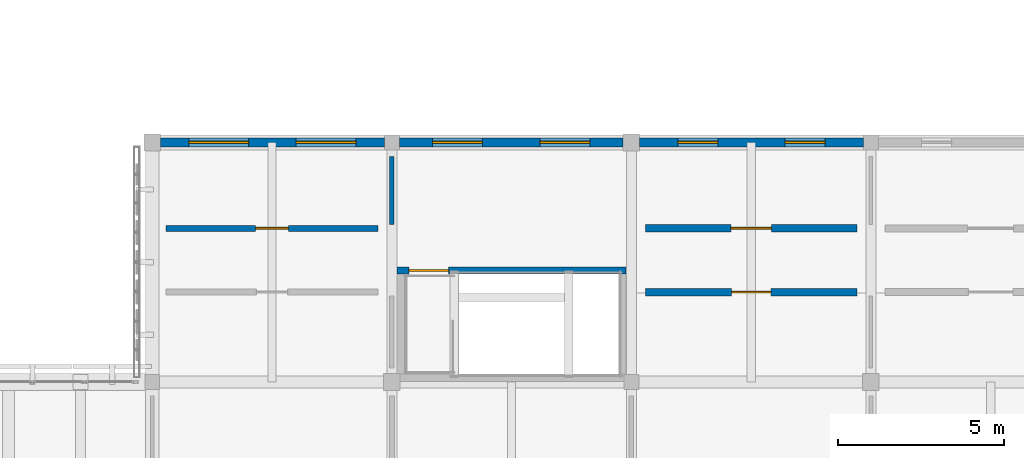
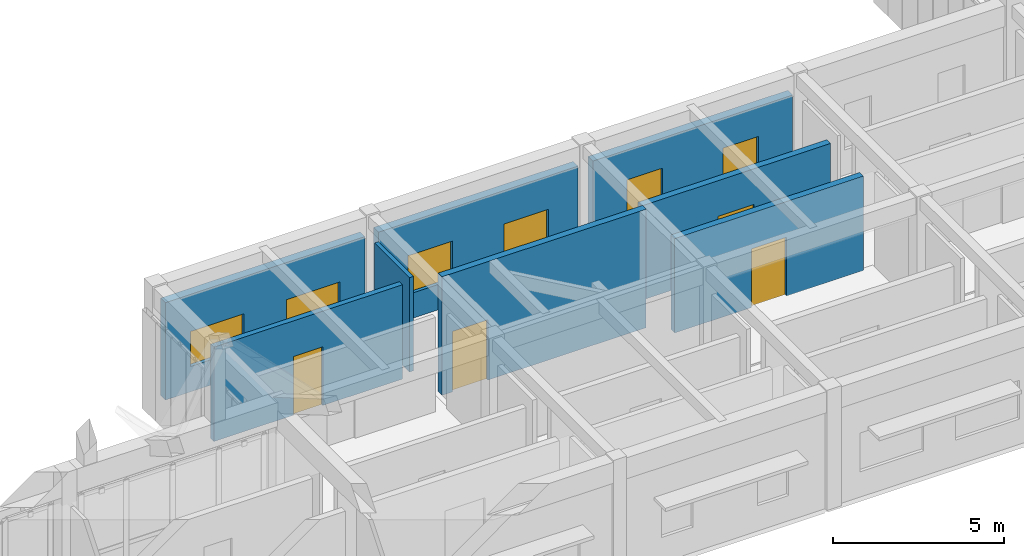
# One storey, part 132 of 171: 8 walls, 6 windows, 4 doors, 10 openings.
"""IFC4 building model written with IfcOpenShell, lengths in metres."""

from ifc_helpers import new_model, si_unit, direction, frame, frame_2d, origin, place, context, subcontext, project, spatial, rectangle, extrude, material, layer, layer_set, type_object, element, fill, save


model = new_model("IFC4")

# Units and contexts
model_context = context("Model", 3, precision=1e-05, world=origin(), true_north=direction((0.0, 1.0)))
body_context = subcontext(model_context, "Body", "Model", "MODEL_VIEW")
ifc_project = project(units=[si_unit("LENGTHUNIT", "METRE"), si_unit("AREAUNIT", "SQUARE_METRE"), si_unit("VOLUMEUNIT", "CUBIC_METRE"), si_unit("PLANEANGLEUNIT", "RADIAN"), si_unit("MASSUNIT", "GRAM", prefix="KILO")], contexts=[model_context])

# Site, building, storey
site_placement = place(None, origin())
site = spatial("IfcSite", under=ifc_project, at=site_placement, CompositionType="ELEMENT")
building_placement = place(site_placement, origin())
building = spatial("IfcBuilding", under=site, at=building_placement, Name="Aldebral Square Health Centre", CompositionType="ELEMENT")
storey_placement = place(building_placement, frame((0.0, 0.0, 4.5)))
storey = spatial("IfcBuildingStorey", under=building, at=storey_placement, Name="L01", CompositionType="ELEMENT", Elevation=4.5)

# Wall, openings, windows
ifc_material_1 = material(Name="Ochre mineral-rendered concrete C35/45 court wall", Category="concrete")
ifc_layer_1 = layer(ifc_material_1, 0.280029296875, Name="Ochre mineral-rendered concrete C35/45 court wall", Category="concrete")
ifc_layer_set_1 = layer_set([ifc_layer_1], Name="Ochre mineral-rendered concrete C35/45 court wall")
wall_type_1 = type_object("IfcWallType", Name="EW-OCH-280", PredefinedType="STANDARD", material=ifc_layer_set_1)
wall_1_placement = place(storey_placement, frame((114.97509765625, 108.0, 0.0), z_axis=(0.0, 0.0, 1.0), x_axis=(-1.0, 0.0, 0.0)))
wall_1 = element("IfcWall", 1, at=wall_1_placement, inside=storey, type_object=wall_type_1, Name="L01 V5 exterior wall L01-V5-15-14-N", PredefinedType="STANDARD", context=body_context, shape_type="SweptSolid", body=[
    extrude(rectangle(XDim=6.72509765625, YDim=0.280029296875, at=frame_2d((3.362548828125, 0.0))), origin(), (0.0, 0.0, 1.0), 3.469970703125),
])
opening_1_placement = place(wall_1_placement, frame((0.85009765625, 0.0, 0.89990234375)))
opening_1 = element("IfcOpeningElement", 2, at=opening_1_placement, cuts=wall_1, Name="Opening W07", PredefinedType="OPENING", context=body_context, shape_type="SweptSolid", body=[
    extrude(rectangle(XDim=1.800048828125, YDim=1.25, at=frame_2d((0.89990234375, 0.625))), frame((0.0, 0.14990234375, 0.0), z_axis=(0.0, -1.0, 0.0), x_axis=(1.0, 0.0, 0.0)), (0.0, 0.0, 1.0), 0.300048828125),
])
opening_2_placement = place(wall_1_placement, frame((4.074951171875, 0.0, 0.89990234375)))
opening_2 = element("IfcOpeningElement", 3, at=opening_2_placement, cuts=wall_1, Name="Opening W07", PredefinedType="OPENING", context=body_context, shape_type="SweptSolid", body=[
    extrude(rectangle(XDim=1.800048828125, YDim=1.25, at=frame_2d((0.89990234375, 0.625))), frame((0.0, 0.14990234375, 0.0), z_axis=(0.0, -1.0, 0.0), x_axis=(1.0, 0.0, 0.0)), (0.0, 0.0, 1.0), 0.300048828125),
])
ifc_material_2 = material(Name="Thermally broken aluminium and low-E glass", Category="aluminium")
window_type_1 = type_object("IfcWindowType", Name="WIN-W07", PartitioningType="SINGLE_PANEL", PredefinedType="WINDOW", material=ifc_material_2)
window_1_placement = place(opening_1_placement, origin())
window_1 = element("IfcWindow", 4, at=window_1_placement, inside=storey, type_object=window_type_1, Name="L01 clinical window L01-V5-15-14-N.1", OverallHeight=1.25, OverallWidth=1.800048828125, PartitioningType="SINGLE_PANEL", PredefinedType="WINDOW", context=body_context, shape_type="SweptSolid", body=[
    extrude(rectangle(XDim=1.800048828125, YDim=1.25, at=frame_2d((0.89990234375, 0.625))), frame((0.0, 0.030029296875, 0.0), z_axis=(0.0, -1.0, 0.0), x_axis=(1.0, 0.0, 0.0)), (0.0, 0.0, 1.0), 0.06005859375),
])
fill(opening_1, window_1)
window_2_placement = place(opening_2_placement, origin())
window_2 = element("IfcWindow", 5, at=window_2_placement, inside=storey, type_object=window_type_1, Name="L01 clinical window L01-V5-15-14-N.2", OverallHeight=1.25, OverallWidth=1.800048828125, PartitioningType="SINGLE_PANEL", PredefinedType="WINDOW", context=body_context, shape_type="SweptSolid", body=[
    extrude(rectangle(XDim=1.800048828125, YDim=1.25, at=frame_2d((0.89990234375, 0.625))), frame((0.0, 0.030029296875, 0.0), z_axis=(0.0, -1.0, 0.0), x_axis=(1.0, 0.0, 0.0)), (0.0, 0.0, 1.0), 0.06005859375),
])
fill(opening_2, window_2)

wall_2_placement = place(storey_placement, frame((122.14990234375, 108.0, 0.0), z_axis=(0.0, 0.0, 1.0), x_axis=(-1.0, 0.0, 0.0)))
wall_2 = element("IfcWall", 6, at=wall_2_placement, inside=storey, type_object=wall_type_1, Name="L01 V5 exterior wall L01-V5-16-14-N", PredefinedType="STANDARD", context=body_context, shape_type="SweptSolid", body=[
    extrude(rectangle(XDim=6.724853515625, YDim=0.280029296875, at=frame_2d((3.3623046875, 0.0))), origin(), (0.0, 0.0, 1.0), 3.469970703125),
])
opening_3_placement = place(wall_2_placement, frame((1.0, 0.0, 0.89990234375)))
opening_3 = element("IfcOpeningElement", 7, at=opening_3_placement, cuts=wall_2, Name="Opening W14", PredefinedType="OPENING", context=body_context, shape_type="SweptSolid", body=[
    extrude(rectangle(XDim=1.5, YDim=1.3798828125, at=frame_2d((0.75, 0.68994140625))), frame((0.0, 0.14990234375, 0.0), z_axis=(0.0, -1.0, 0.0), x_axis=(1.0, 0.0, 0.0)), (0.0, 0.0, 1.0), 0.300048828125),
])
opening_4_placement = place(wall_2_placement, frame((4.22509765625, 0.0, 0.89990234375)))
opening_4 = element("IfcOpeningElement", 8, at=opening_4_placement, cuts=wall_2, Name="Opening W14", PredefinedType="OPENING", context=body_context, shape_type="SweptSolid", body=[
    extrude(rectangle(XDim=1.5, YDim=1.3798828125, at=frame_2d((0.75, 0.68994140625))), frame((0.0, 0.14990234375, 0.0), z_axis=(0.0, -1.0, 0.0), x_axis=(1.0, 0.0, 0.0)), (0.0, 0.0, 1.0), 0.300048828125),
])
window_type_2 = type_object("IfcWindowType", Name="WIN-W14", PartitioningType="SINGLE_PANEL", PredefinedType="WINDOW", material=ifc_material_2)
window_3_placement = place(opening_3_placement, origin())
window_3 = element("IfcWindow", 9, at=window_3_placement, inside=storey, type_object=window_type_2, Name="L01 clinical window L01-V5-16-14-N.1", OverallHeight=1.3798828125, OverallWidth=1.5, PartitioningType="SINGLE_PANEL", PredefinedType="WINDOW", context=body_context, shape_type="SweptSolid", body=[
    extrude(rectangle(XDim=1.5, YDim=1.3798828125, at=frame_2d((0.75, 0.68994140625))), frame((0.0, 0.030029296875, 0.0), z_axis=(0.0, -1.0, 0.0), x_axis=(1.0, 0.0, 0.0)), (0.0, 0.0, 1.0), 0.06005859375),
])
fill(opening_3, window_3)
window_4_placement = place(opening_4_placement, origin())
window_4 = element("IfcWindow", 10, at=window_4_placement, inside=storey, type_object=window_type_2, Name="L01 clinical window L01-V5-16-14-N.2", OverallHeight=1.3798828125, OverallWidth=1.5, PartitioningType="SINGLE_PANEL", PredefinedType="WINDOW", context=body_context, shape_type="SweptSolid", body=[
    extrude(rectangle(XDim=1.5, YDim=1.3798828125, at=frame_2d((0.75, 0.68994140625))), frame((0.0, 0.030029296875, 0.0), z_axis=(0.0, -1.0, 0.0), x_axis=(1.0, 0.0, 0.0)), (0.0, 0.0, 1.0), 0.06005859375),
])
fill(opening_4, window_4)

wall_3_placement = place(storey_placement, frame((129.375, 108.0, 0.0), z_axis=(0.0, 0.0, 1.0), x_axis=(-1.0, 0.0, 0.0)))
wall_3 = element("IfcWall", 11, at=wall_3_placement, inside=storey, type_object=wall_type_1, Name="L01 V5 exterior wall L01-V5-17-14-N", PredefinedType="STANDARD", context=body_context, shape_type="SweptSolid", body=[
    extrude(rectangle(XDim=6.72509765625, YDim=0.280029296875, at=frame_2d((3.362548828125, 0.0))), origin(), (0.0, 0.0, 1.0), 3.469970703125),
])
opening_5_placement = place(wall_3_placement, frame((1.14990234375, 0.0, 0.89990234375)))
opening_5 = element("IfcOpeningElement", 12, at=opening_5_placement, cuts=wall_3, Name="Opening W21", PredefinedType="OPENING", context=body_context, shape_type="SweptSolid", body=[
    extrude(rectangle(XDim=1.199951171875, YDim=1.5, at=frame_2d((0.60009765625, 0.75))), frame((0.0, 0.14990234375, 0.0), z_axis=(0.0, -1.0, 0.0), x_axis=(1.0, 0.0, 0.0)), (0.0, 0.0, 1.0), 0.300048828125),
])
opening_6_placement = place(wall_3_placement, frame((4.375, 0.0, 0.89990234375)))
opening_6 = element("IfcOpeningElement", 13, at=opening_6_placement, cuts=wall_3, Name="Opening W21", PredefinedType="OPENING", context=body_context, shape_type="SweptSolid", body=[
    extrude(rectangle(XDim=1.199951171875, YDim=1.5, at=frame_2d((0.60009765625, 0.75))), frame((0.0, 0.14990234375, 0.0), z_axis=(0.0, -1.0, 0.0), x_axis=(1.0, 0.0, 0.0)), (0.0, 0.0, 1.0), 0.300048828125),
])
window_type_3 = type_object("IfcWindowType", Name="WIN-W21", PartitioningType="SINGLE_PANEL", PredefinedType="WINDOW", material=ifc_material_2)
window_5_placement = place(opening_5_placement, origin())
window_5 = element("IfcWindow", 14, at=window_5_placement, inside=storey, type_object=window_type_3, Name="L01 clinical window L01-V5-17-14-N.1", OverallHeight=1.5, OverallWidth=1.199951171875, PartitioningType="SINGLE_PANEL", PredefinedType="WINDOW", context=body_context, shape_type="SweptSolid", body=[
    extrude(rectangle(XDim=1.199951171875, YDim=1.5, at=frame_2d((0.60009765625, 0.75))), frame((0.0, 0.030029296875, 0.0), z_axis=(0.0, -1.0, 0.0), x_axis=(1.0, 0.0, 0.0)), (0.0, 0.0, 1.0), 0.06005859375),
])
fill(opening_5, window_5)
window_6_placement = place(opening_6_placement, origin())
window_6 = element("IfcWindow", 15, at=window_6_placement, inside=storey, type_object=window_type_3, Name="L01 clinical window L01-V5-17-14-N.2", OverallHeight=1.5, OverallWidth=1.199951171875, PartitioningType="SINGLE_PANEL", PredefinedType="WINDOW", context=body_context, shape_type="SweptSolid", body=[
    extrude(rectangle(XDim=1.199951171875, YDim=1.5, at=frame_2d((0.60009765625, 0.75))), frame((0.0, 0.030029296875, 0.0), z_axis=(0.0, -1.0, 0.0), x_axis=(1.0, 0.0, 0.0)), (0.0, 0.0, 1.0), 0.06005859375),
])
fill(opening_6, window_6)

# Wall, opening, door
ifc_material_3 = material(Name="Concrete C35/45 compartment wall", Category="concrete")
ifc_layer_2 = layer(ifc_material_3, 0.219970703125, Name="Concrete C35/45 compartment wall", Category="concrete")
ifc_layer_set_2 = layer_set([ifc_layer_2], Name="Concrete C35/45 compartment wall")
wall_type_2 = type_object("IfcWallType", Name="IW-CMP-220", PredefinedType="SOLIDWALL", material=ifc_layer_set_2)
wall_4_placement = place(storey_placement, frame((122.820068359375, 103.5, 0.0), z_axis=(0.0, 0.0, 1.0), x_axis=(1.0, 0.0, 0.0)))
wall_4 = element("IfcWall", 16, at=wall_4_placement, inside=storey, type_object=wall_type_2, Name="L01 Pulmonary Function Clinic 18.15S corridor wall", PredefinedType="SOLIDWALL", context=body_context, shape_type="SweptSolid", body=[
    extrude(rectangle(XDim=6.35986328125, YDim=0.219970703125, at=frame_2d((3.179931640625, 0.0))), origin(), (0.0, 0.0, 1.0), 3.360107421875),
])
opening_7_placement = place(wall_4_placement, frame((2.590087890625, 0.0, 0.0)))
opening_7 = element("IfcOpeningElement", 17, at=opening_7_placement, cuts=wall_4, Name="Opening D-0314", PredefinedType="OPENING", context=body_context, shape_type="SweptSolid", body=[
    extrude(rectangle(XDim=1.179931640625, YDim=2.090087890625, at=frame_2d((0.58984375, 1.044921875))), frame((0.0, 0.1201171875, 0.0), z_axis=(0.0, -1.0, 0.0), x_axis=(1.0, 0.0, 0.0)), (0.0, 0.0, 1.0), 0.239990234375),
])
ifc_material_4 = material(Name="Clinical suite fire door")
door_type_1 = type_object("IfcDoorType", Name="ID-EXD-23", OperationType="NOTDEFINED", PredefinedType="DOOR", material=ifc_material_4)
door_1_placement = place(opening_7_placement, origin())
door_1 = element("IfcDoor", 18, at=door_1_placement, inside=storey, type_object=door_type_1, Name="L01 Pulmonary Function Clinic 18.15S door", OperationType="SINGLE_SWING_LEFT", OverallHeight=2.090087890625, OverallWidth=1.179931640625, PredefinedType="DOOR", context=body_context, shape_type="SweptSolid", body=[
    extrude(rectangle(XDim=1.179931640625, YDim=2.090087890625, at=frame_2d((0.58984375, 1.044921875))), frame((0.0, 0.02490234375, 0.0), z_axis=(0.0, -1.0, 0.0), x_axis=(1.0, 0.0, 0.0)), (0.0, 0.0, 1.0), 0.050048828125),
])
fill(opening_7, door_1)

wall_5_placement = place(storey_placement, frame((122.820068359375, 105.419921875, 0.0), z_axis=(0.0, 0.0, 1.0), x_axis=(1.0, 0.0, 0.0)))
wall_5 = element("IfcWall", 19, at=wall_5_placement, inside=storey, type_object=wall_type_2, Name="L01 Audiology Testing Booth 18.15N corridor wall", PredefinedType="SOLIDWALL", context=body_context, shape_type="SweptSolid", body=[
    extrude(rectangle(XDim=6.35986328125, YDim=0.219970703125, at=frame_2d((3.179931640625, 0.0))), origin(), (0.0, 0.0, 1.0), 3.360107421875),
])
opening_8_placement = place(wall_5_placement, frame((2.570068359375, 0.0, 0.0)))
opening_8 = element("IfcOpeningElement", 20, at=opening_8_placement, cuts=wall_5, Name="Opening D-0315", PredefinedType="OPENING", context=body_context, shape_type="SweptSolid", body=[
    extrude(rectangle(XDim=1.219970703125, YDim=2.090087890625, at=frame_2d((0.60986328125, 1.044921875))), frame((0.0, 0.1201171875, 0.0), z_axis=(0.0, -1.0, 0.0), x_axis=(1.0, 0.0, 0.0)), (0.0, 0.0, 1.0), 0.239990234375),
])
door_type_2 = type_object("IfcDoorType", Name="ID-EXD-24", OperationType="NOTDEFINED", PredefinedType="DOOR", material=ifc_material_4)
door_2_placement = place(opening_8_placement, origin())
door_2 = element("IfcDoor", 21, at=door_2_placement, inside=storey, type_object=door_type_2, Name="L01 Audiology Testing Booth 18.15N door", OperationType="SINGLE_SWING_RIGHT", OverallHeight=2.090087890625, OverallWidth=1.219970703125, PredefinedType="DOOR", context=body_context, shape_type="SweptSolid", body=[
    extrude(rectangle(XDim=1.219970703125, YDim=2.090087890625, at=frame_2d((0.60986328125, 1.044921875))), frame((0.0, 0.02490234375, 0.0), z_axis=(0.0, -1.0, 0.0), x_axis=(1.0, 0.0, 0.0)), (0.0, 0.0, 1.0), 0.050048828125),
])
fill(opening_8, door_2)

ifc_material_5 = material(Name="Fire-rated acoustic gypsum partition")
ifc_layer_3 = layer(ifc_material_5, 0.179931640625, Name="Fire-rated acoustic gypsum partition")
ifc_layer_set_3 = layer_set([ifc_layer_3], Name="Fire-rated acoustic gypsum partition")
wall_type_3 = type_object("IfcWallType", Name="IW-COR-180", PredefinedType="PARTITIONING", material=ifc_layer_set_3)
wall_6_placement = place(storey_placement, frame((108.419921875, 105.419921875, 0.0), z_axis=(0.0, 0.0, 1.0), x_axis=(1.0, 0.0, 0.0)))
wall_6 = element("IfcWall", 22, at=wall_6_placement, inside=storey, type_object=wall_type_3, Name="L01 Maternal-Child Clinic 16.15N corridor wall", PredefinedType="PARTITIONING", context=body_context, shape_type="SweptSolid", body=[
    extrude(rectangle(XDim=6.360107421875, YDim=0.179931640625, at=frame_2d((3.18017578125, 0.0))), origin(), (0.0, 0.0, 1.0), 3.360107421875),
])
opening_9_placement = place(wall_6_placement, frame((2.68994140625, 0.0, 0.0)))
opening_9 = element("IfcOpeningElement", 23, at=opening_9_placement, cuts=wall_6, Name="Opening D-0309", PredefinedType="OPENING", context=body_context, shape_type="SweptSolid", body=[
    extrude(rectangle(XDim=0.97998046875, YDim=2.090087890625, at=frame_2d((0.489990234375, 1.044921875))), frame((0.0, 0.10009765625, 0.0), z_axis=(0.0, -1.0, 0.0), x_axis=(1.0, 0.0, 0.0)), (0.0, 0.0, 1.0), 0.199951171875),
])
door_type_3 = type_object("IfcDoorType", Name="ID-EXD-18", OperationType="NOTDEFINED", PredefinedType="DOOR", material=ifc_material_4)
door_3_placement = place(opening_9_placement, origin())
door_3 = element("IfcDoor", 24, at=door_3_placement, inside=storey, type_object=door_type_3, Name="L01 Maternal-Child Clinic 16.15N door", OperationType="SINGLE_SWING_RIGHT", OverallHeight=2.090087890625, OverallWidth=0.97998046875, PredefinedType="DOOR", context=body_context, shape_type="SweptSolid", body=[
    extrude(rectangle(XDim=0.97998046875, YDim=2.090087890625, at=frame_2d((0.489990234375, 1.044921875))), frame((0.0, 0.02490234375, 0.0), z_axis=(0.0, -1.0, 0.0), x_axis=(1.0, 0.0, 0.0)), (0.0, 0.0, 1.0), 0.050048828125),
])
fill(opening_9, door_3)

ifc_material_6 = material(Name="Concrete C40/50", Category="concrete")
ifc_layer_4 = layer(ifc_material_6, 0.219970703125, Name="Concrete C40/50", Category="concrete")
ifc_layer_set_4 = layer_set([ifc_layer_4], Name="Concrete C40/50")
wall_type_4 = type_object("IfcWallType", Name="IW-CORE-280", PredefinedType="SHEAR", material=ifc_layer_set_4)
wall_7_placement = place(storey_placement, frame((115.360107421875, 104.14990234375, 0.0), z_axis=(0.0, 0.0, 1.0), x_axis=(1.0, 0.0, 0.0)))
wall_7 = element("IfcWall", 25, at=wall_7_placement, inside=storey, type_object=wall_type_4, Name="L01 WS-S10 shaft wall N", PredefinedType="SHEAR", context=body_context, shape_type="SweptSolid", body=[
    extrude(rectangle(XDim=6.8798828125, YDim=0.219970703125, at=frame_2d((3.43994140625, 0.0))), origin(), (0.0, 0.0, 1.0), 4.219970703125),
])
opening_10_placement = place(wall_7_placement, frame((0.35009765625, 0.0, 0.0)))
opening_10 = element("IfcOpeningElement", 26, at=opening_10_placement, cuts=wall_7, Name="Opening D-0076", PredefinedType="OPENING", context=body_context, shape_type="SweptSolid", body=[
    extrude(rectangle(XDim=1.199951171875, YDim=2.14990234375, at=frame_2d((0.60009765625, 1.074951171875))), frame((0.0, 0.1201171875, 0.0), z_axis=(0.0, -1.0, 0.0), x_axis=(1.0, 0.0, 0.0)), (0.0, 0.0, 1.0), 0.239990234375),
])
ifc_material_7 = material(Name="Fire-rated steel stair door", Category="steel")
door_type_4 = type_object("IfcDoorType", Name="ID-ST-120", OperationType="NOTDEFINED", PredefinedType="DOOR", material=ifc_material_7)
door_4_placement = place(opening_10_placement, origin())
door_4 = element("IfcDoor", 27, at=door_4_placement, inside=storey, type_object=door_type_4, Name="L01 ST-10 fire door", OperationType="SINGLE_SWING_RIGHT", OverallHeight=2.14990234375, OverallWidth=1.199951171875, PredefinedType="DOOR", context=body_context, shape_type="SweptSolid", body=[
    extrude(rectangle(XDim=1.199951171875, YDim=2.14990234375, at=frame_2d((0.60009765625, 1.074951171875))), frame((0.0, 0.02490234375, 0.0), z_axis=(0.0, -1.0, 0.0), x_axis=(1.0, 0.0, 0.0)), (0.0, 0.0, 1.0), 0.050048828125),
])
fill(opening_10, door_4)

# Wall
ifc_material_8 = material(Name="Acoustic clinical gypsum partition")
ifc_layer_5 = layer(ifc_material_8, 0.135009765625, Name="Acoustic clinical gypsum partition")
ifc_layer_set_5 = layer_set([ifc_layer_5], Name="Acoustic clinical gypsum partition")
wall_type_5 = type_object("IfcWallType", Name="IW-PRT-135", PredefinedType="PARTITIONING", material=ifc_layer_set_5)
wall_8_placement = place(storey_placement, frame((115.199951171875, 105.5400390625, 0.0), z_axis=(0.0, 0.0, 1.0), x_axis=(0.0, 1.0, 0.0)))
element("IfcWall", 28, at=wall_8_placement, inside=storey, type_object=wall_type_5, Name="L01 Maternal-Child Clinic 16.15N demising partition", PredefinedType="PARTITIONING", context=body_context, shape_type="SweptSolid", body=[
    extrude(rectangle(XDim=2.0400390625, YDim=0.135009765625, at=frame_2d((1.02001953125, 0.0))), origin(), (0.0, 0.0, 1.0), 3.360107421875),
])

save(model, "model.ifc")
